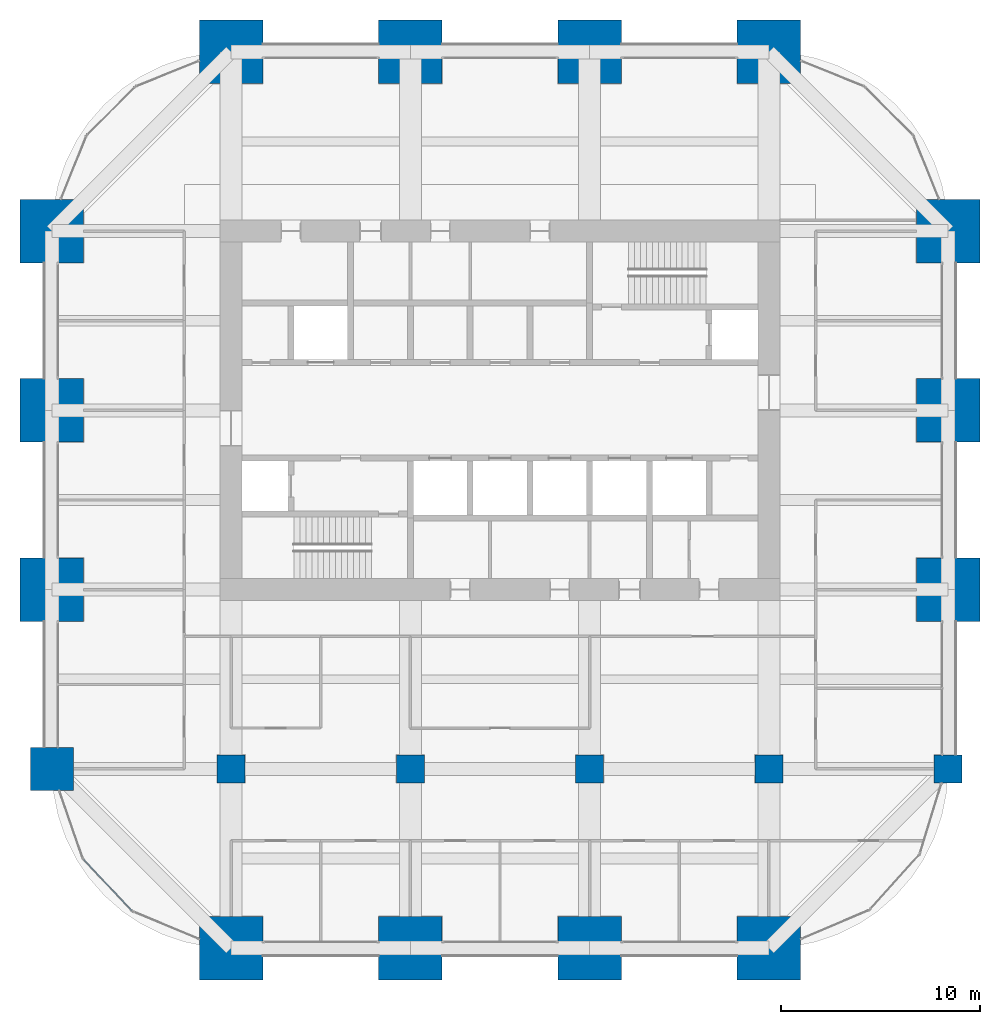
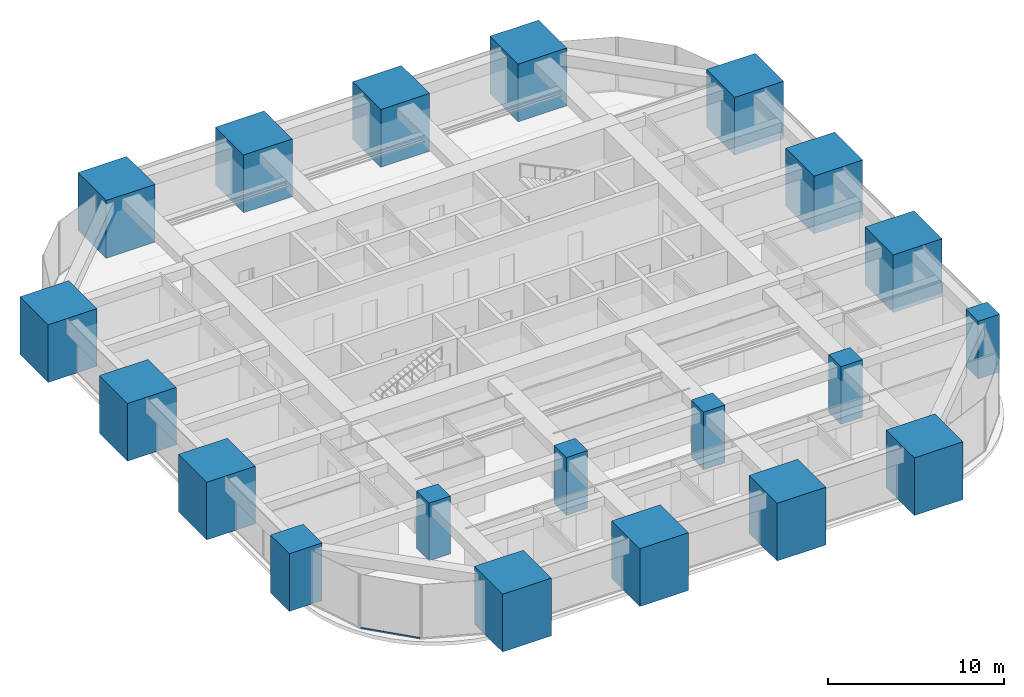
# One storey, part 1 of 43: 20 columns, 1 member, 1 element without a shape of its own.
"""IFC4 building model written with IfcOpenShell, lengths in metres."""

from ifc_helpers import new_model, si_unit, direction, frame, origin, origin_2d, place, context, subcontext, project, spatial, rectangle, hollow_rectangle, extrude, material, material_profile, profile_set, type_object, element, aggregate, save


model = new_model("IFC4")

# Units and contexts
model_context = context("Model", 3, precision=1e-05, world=origin(), true_north=direction((0.0, 1.0)))
body_context = subcontext(model_context, "Body", "Model", "MODEL_VIEW")
ifc_project = project(units=[si_unit("LENGTHUNIT", "METRE"), si_unit("AREAUNIT", "SQUARE_METRE"), si_unit("VOLUMEUNIT", "CUBIC_METRE"), si_unit("PLANEANGLEUNIT", "RADIAN"), si_unit("MASSUNIT", "GRAM", prefix="KILO")], contexts=[model_context])

# Site, building, storey
site_placement = place(None, origin())
site = spatial("IfcSite", under=ifc_project, at=site_placement, CompositionType="ELEMENT")
building_placement = place(site_placement, origin())
building = spatial("IfcBuilding", under=site, at=building_placement, Name="Zorevar Civic Tower", CompositionType="ELEMENT")
storey_placement = place(building_placement, frame((0.0, 0.0, 243.39990234375)))
storey = spatial("IfcBuildingStorey", under=building, at=storey_placement, Name="L59", CompositionType="ELEMENT", Elevation=243.39990234375)

# Columns
ifc_material_1 = material(Name="Concrete C50/60", Category="concrete")
ifc_material_profile_1 = material_profile(ifc_material_1, rectangle(XDim=1.39990234375, YDim=1.39990234375, at=origin_2d()), Name="RC 1400x1400")
ifc_profile_set_1 = profile_set([ifc_material_profile_1], Name="Concrete C50/60")
column_type_1 = type_object("IfcColumnType", Name="Column RC 1400x1400", PredefinedType="COLUMN", material=ifc_profile_set_1)
for number, where, z_axis, x_axis, name in (
    (1, (18.0, 9.0, 0.0), (0.0, 0.0, 1.0), (1.0, 0.0, 0.0), "Column 4B L59"),
    (2, (27.0, 9.0, 0.0), (0.0, 0.0, 1.0), (1.0, 0.0, 0.0), "Column 5B L59"),
    (3, (36.0, 9.0, 0.0), (0.0, 0.0, 1.0), (1.0, 0.0, 0.0), "Column 6B L59"),
    (4, (45.0, 9.0, 0.0), (0.0, 0.0, 1.0), (1.0, 0.0, 0.0), "Column 7B L59"),
    (5, (54.0, 9.0, 0.0), (0.0, 0.0, 1.0), (1.0, 0.0, 0.0), "Column 8B L59"),
):
    element("IfcColumn", number, at=place(storey_placement, frame(where, z_axis=z_axis, x_axis=x_axis)), inside=storey, type_object=column_type_1, Name=name, PredefinedType="COLUMN", context=body_context, shape_type="SweptSolid", body=[
        extrude(rectangle(XDim=1.39990234375, YDim=1.39990234375, at=origin_2d()), origin(), (0.0, 0.0, 1.0), 4.0),
    ])
ifc_material_2 = material(Name="Concrete C50/60", Category="concrete")
ifc_material_profile_2 = material_profile(ifc_material_2, rectangle(XDim=2.14990234375, YDim=2.14990234375, at=origin_2d()), Name="RC 2150x2150")
ifc_profile_set_2 = profile_set([ifc_material_profile_2], Name="Concrete C50/60")
column_type_2 = type_object("IfcColumnType", Name="Column RC 2150x2150", PredefinedType="COLUMN", material=ifc_profile_set_2)
column_placement = place(storey_placement, frame((9.0, 9.0, 0.0), z_axis=(0.0, 0.0, 1.0), x_axis=(1.0, 0.0, 0.0)))
element("IfcColumn", 6, at=column_placement, inside=storey, type_object=column_type_2, Name="Column 3B L59", PredefinedType="COLUMN", context=body_context, shape_type="SweptSolid", body=[
    extrude(rectangle(XDim=2.14990234375, YDim=2.14990234375, at=origin_2d()), origin(), (0.0, 0.0, 1.0), 4.0),
])
ifc_material_3 = material(Name="Concrete C50/60", Category="concrete")
ifc_material_profile_3 = material_profile(ifc_material_3, rectangle(XDim=3.199951171875, YDim=3.199951171875, at=origin_2d()), Name="RC 3200x3200")
ifc_profile_set_3 = profile_set([ifc_material_profile_3], Name="Concrete C50/60")
column_type_3 = type_object("IfcColumnType", Name="Mega column RC 3200x3200", PredefinedType="COLUMN", material=ifc_profile_set_3)
for number, where, z_axis, x_axis, name in (
    (7, (9.0, 18.0, 0.0), (0.0, 0.0, 1.0), (1.0, 0.0, 0.0), "Column 3C L59"),
    (8, (9.0, 27.0, 0.0), (0.0, 0.0, 1.0), (1.0, 0.0, 0.0), "Column 3D L59"),
    (9, (9.0, 36.0, 0.0), (0.0, 0.0, 1.0), (1.0, 0.0, 0.0), "Column 3E L59"),
    (10, (18.0, 0.0, 0.0), (0.0, 0.0, 1.0), (1.0, 0.0, 0.0), "Column 4A L59"),
    (11, (18.0, 45.0, 0.0), (0.0, 0.0, 1.0), (1.0, 0.0, 0.0), "Column 4F L59"),
    (12, (27.0, 0.0, 0.0), (0.0, 0.0, 1.0), (1.0, 0.0, 0.0), "Column 5A L59"),
    (13, (27.0, 45.0, 0.0), (0.0, 0.0, 1.0), (1.0, 0.0, 0.0), "Column 5F L59"),
    (14, (36.0, 0.0, 0.0), (0.0, 0.0, 1.0), (1.0, 0.0, 0.0), "Column 6A L59"),
    (15, (36.0, 45.0, 0.0), (0.0, 0.0, 1.0), (1.0, 0.0, 0.0), "Column 6F L59"),
    (16, (45.0, 0.0, 0.0), (0.0, 0.0, 1.0), (1.0, 0.0, 0.0), "Column 7A L59"),
    (17, (45.0, 45.0, 0.0), (0.0, 0.0, 1.0), (1.0, 0.0, 0.0), "Column 7F L59"),
    (18, (54.0, 18.0, 0.0), (0.0, 0.0, 1.0), (1.0, 0.0, 0.0), "Column 8C L59"),
    (19, (54.0, 27.0, 0.0), (0.0, 0.0, 1.0), (1.0, 0.0, 0.0), "Column 8D L59"),
    (20, (54.0, 36.0, 0.0), (0.0, 0.0, 1.0), (1.0, 0.0, 0.0), "Column 8E L59"),
):
    element("IfcColumn", number, at=place(storey_placement, frame(where, z_axis=z_axis, x_axis=x_axis)), inside=storey, type_object=column_type_3, Name=name, PredefinedType="COLUMN", context=body_context, shape_type="SweptSolid", body=[
        extrude(rectangle(XDim=3.199951171875, YDim=3.199951171875, at=origin_2d()), origin(), (0.0, 0.0, 1.0), 4.0),
    ])

# Curtain wall, member
ifc_material_4 = material(Name="Dark grey solar-control glass in black aluminium frame", Category="aluminium")
curtain_wall_type = type_object("IfcCurtainWallType", Name="Curtain wall CW5 top zone", PredefinedType="NOTDEFINED", material=ifc_material_4)
curtain_wall_placement = place(storey_placement, origin())
curtain_wall = element("IfcCurtainWall", 21, at=curtain_wall_placement, inside=storey, type_object=curtain_wall_type, Name="CW5 L59", PredefinedType="NOTDEFINED")
ifc_material_5 = material(Name="Aluminium, black anodised", Category="aluminium")
ifc_material_profile_4 = material_profile(ifc_material_5, hollow_rectangle(XDim=0.06005859375, YDim=0.1201171875, WallThickness=0.0029296875, at=origin_2d()), Name="AL 120x60x3")
ifc_profile_set_4 = profile_set([ifc_material_profile_4], Name="Aluminium, black anodised")
member_type = type_object("IfcMemberType", Name="CW5 transom AL 120x60x3", PredefinedType="USERDEFINED", material=ifc_profile_set_4)
member_placement = place(storey_placement, frame((10.599365234375, 4.449462890625, 0.030029296875), z_axis=(0.685232440254, -0.728324448871, 0.0), x_axis=(0.728324448871, 0.685232440254, 0.0)))
member = element("IfcMember", 22, at=member_placement, type_object=member_type, Name="CW5 sill transom", ObjectType="TRANSOM", PredefinedType="USERDEFINED", context=body_context, shape_type="SweptSolid", body=[
    extrude(hollow_rectangle(XDim=0.06005859375, YDim=0.1201171875, WallThickness=0.0029296875, at=origin_2d()), origin(), (0.0, 0.0, 1.0), 3.5126953125),
])
aggregate(curtain_wall, [member])

save(model, "model.ifc")
